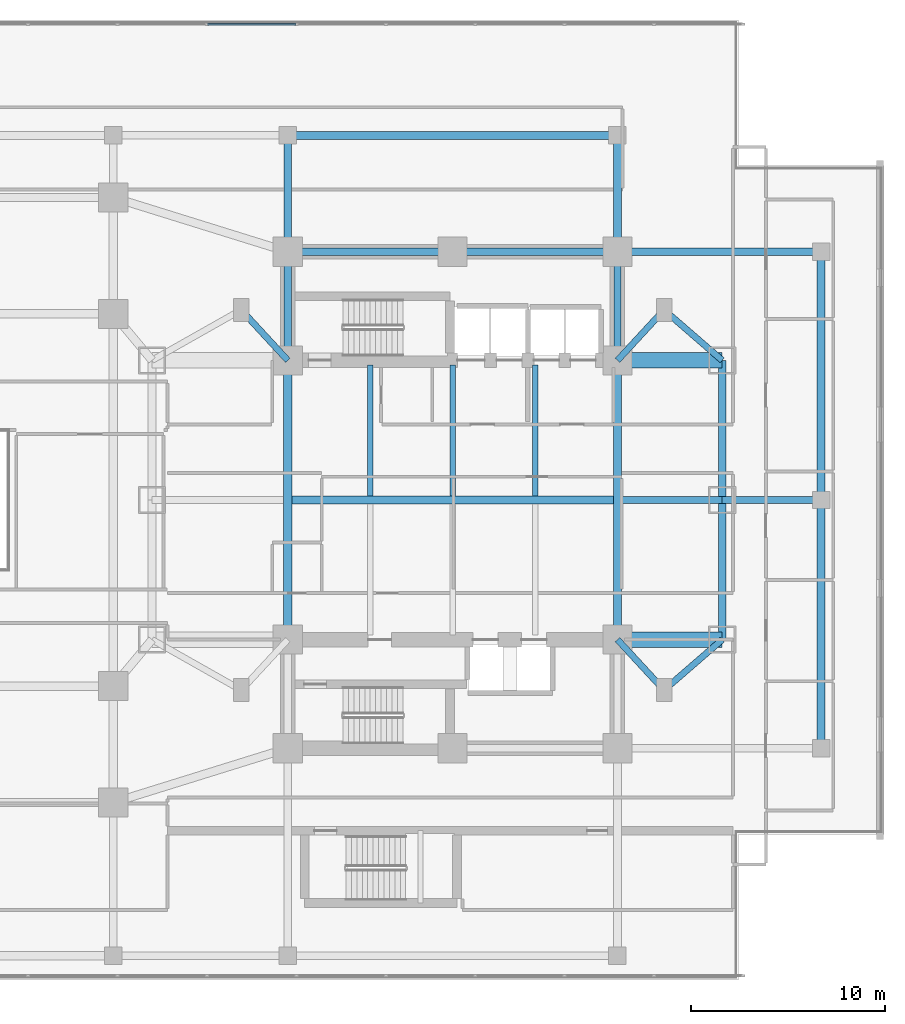
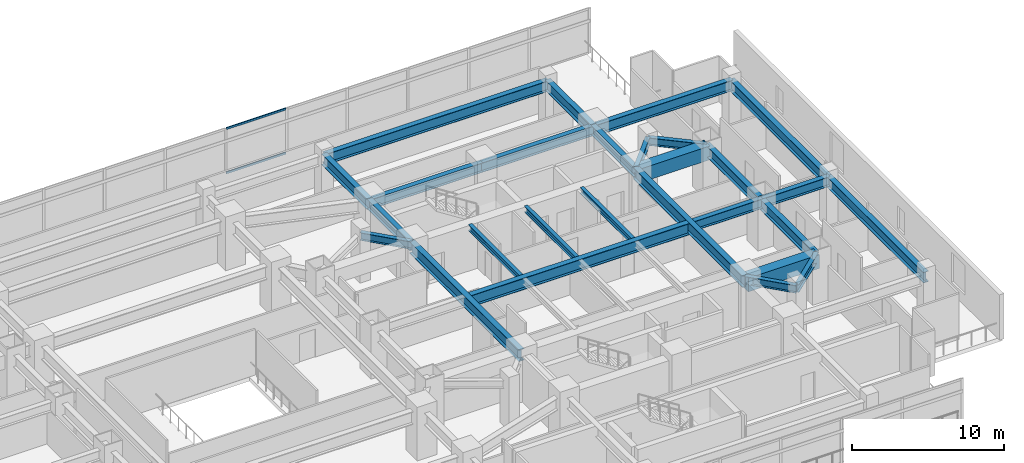
# One storey, part 9 of 26: 27 beams, 2 members, 1 element without a shape of its own.
"""IFC4 building model written with IfcOpenShell, lengths in metres."""

from ifc_helpers import new_model, si_unit, direction, frame, origin, origin_2d, place, context, subcontext, project, spatial, rectangle, i_section, extrude, material, material_profile, profile_set, type_object, element, aggregate, save


model = new_model("IFC4")

# Units and contexts
model_context = context("Model", 3, precision=1e-05, world=origin(), true_north=direction((0.0, 1.0)))
body_context = subcontext(model_context, "Body", "Model", "MODEL_VIEW")
ifc_project = project(units=[si_unit("LENGTHUNIT", "METRE"), si_unit("AREAUNIT", "SQUARE_METRE"), si_unit("VOLUMEUNIT", "CUBIC_METRE"), si_unit("PLANEANGLEUNIT", "RADIAN"), si_unit("MASSUNIT", "GRAM", prefix="KILO")], contexts=[model_context])

# Site, building, storey
site_placement = place(None, origin())
site = spatial("IfcSite", under=ifc_project, at=site_placement, CompositionType="ELEMENT")
building_placement = place(site_placement, origin())
building = spatial("IfcBuilding", under=site, at=building_placement, Name="Mirazonda Arch Towers", CompositionType="ELEMENT")
storey_placement = place(building_placement, frame((0.0, 0.0, 13.800048828125)))
storey = spatial("IfcBuildingStorey", under=building, at=storey_placement, Name="L03", CompositionType="ELEMENT", Elevation=13.800048828125)

# Beams
ifc_material_1 = material(Name="Steel ASTM A992 Grade 50", Category="steel")
ifc_material_profile_1 = material_profile(ifc_material_1, i_section(OverallWidth=0.39990234375, OverallDepth=0.85595703125, WebThickness=0.018310546875, FlangeThickness=0.029296875, at=origin_2d()), Name="W33X201")
ifc_profile_set_1 = profile_set([ifc_material_profile_1], Name="Steel ASTM A992 Grade 50")
beam_type_1 = type_object("IfcBeamType", Name="BM-EXT-W33X201", PredefinedType="USERDEFINED", material=ifc_profile_set_1)
for number, where, z_axis, x_axis, name in (
    (1, (90.39990234375, 20.800048828125, 3.221923828125), (0.0, 1.0, 0.0), (-1.0, 0.0, 0.0), "L03 Floor Beam BM-T2-L03-NS-E-20"),
    (2, (90.39990234375, 28.0, 3.221923828125), (0.0, 1.0, 0.0), (-1.0, 0.0, 0.0), "L03 Floor Beam BM-T2-L03-NS-E-28"),
):
    element("IfcBeam", number, at=place(storey_placement, frame(where, z_axis=z_axis, x_axis=x_axis)), inside=storey, type_object=beam_type_1, Name=name, ObjectType="GIRDER", PredefinedType="USERDEFINED", context=body_context, shape_type="SweptSolid", body=[
        extrude(i_section(OverallWidth=0.39990234375, OverallDepth=0.85595703125, WebThickness=0.018310546875, FlangeThickness=0.029296875, at=origin_2d()), origin(), (0.0, 0.0, 1.0), 7.199951171875),
    ])
beam_1_placement = place(storey_placement, frame((68.0, 46.800048828125, 3.221923828125), z_axis=(1.0, 0.0, 0.0), x_axis=(0.0, 1.0, 0.0)))
element("IfcBeam", 3, at=beam_1_placement, inside=storey, type_object=beam_type_1, Name="L03 Floor Beam BM-POD-L03-PN-5", ObjectType="GIRDER", PredefinedType="USERDEFINED", context=body_context, shape_type="SweptSolid", body=[
    extrude(i_section(OverallWidth=0.39990234375, OverallDepth=0.85595703125, WebThickness=0.018310546875, FlangeThickness=0.029296875, at=origin_2d()), origin(), (0.0, 0.0, 1.0), 17.0),
])
for number, where, z_axis, x_axis, name in (
    (4, (95.5, 15.199951171875, 3.221923828125), (0.0, 1.0, 0.0), (-1.0, 0.0, 0.0), "L03 Floor Beam BM-POD-L03-PE-1"),
    (5, (95.5, 28.0, 3.221923828125), (0.0, 1.0, 0.0), (-1.0, 0.0, 0.0), "L03 Floor Beam BM-POD-L03-PE-2"),
):
    element("IfcBeam", number, at=place(storey_placement, frame(where, z_axis=z_axis, x_axis=x_axis)), inside=storey, type_object=beam_type_1, Name=name, ObjectType="GIRDER", PredefinedType="USERDEFINED", context=body_context, shape_type="SweptSolid", body=[
        extrude(i_section(OverallWidth=0.39990234375, OverallDepth=0.85595703125, WebThickness=0.018310546875, FlangeThickness=0.029296875, at=origin_2d()), origin(), (0.0, 0.0, 1.0), 12.800048828125),
    ])
ifc_material_profile_2 = material_profile(ifc_material_1, i_section(OverallWidth=0.280029296875, OverallDepth=0.462890625, WebThickness=0.0107421875, FlangeThickness=0.017333984375, at=origin_2d()), Name="W18X76")
ifc_profile_set_2 = profile_set([ifc_material_profile_2], Name="Steel ASTM A992 Grade 50")
beam_type_2 = type_object("IfcBeamType", Name="BM-INT-W18X76", PredefinedType="JOIST", material=ifc_profile_set_2)
for number, where, z_axis, x_axis, name in (
    (6, (72.25, 28.205078125, 3.41845703125), (0.0, 1.0, 0.0), (-1.0, 0.0, 0.0), "L03 Floor Beam BM-T2-L03-J-722-28"),
    (7, (76.5, 28.205078125, 3.41845703125), (0.0, 1.0, 0.0), (-1.0, 0.0, 0.0), "L03 Floor Beam BM-T2-L03-J-765-28"),
    (8, (80.75, 28.205078125, 3.41845703125), (0.0, 1.0, 0.0), (-1.0, 0.0, 0.0), "L03 Floor Beam BM-T2-L03-J-807-28"),
):
    element("IfcBeam", number, at=place(storey_placement, frame(where, z_axis=z_axis, x_axis=x_axis)), inside=storey, type_object=beam_type_2, Name=name, PredefinedType="JOIST", context=body_context, shape_type="SweptSolid", body=[
        extrude(i_section(OverallWidth=0.280029296875, OverallDepth=0.462890625, WebThickness=0.0107421875, FlangeThickness=0.017333984375, at=origin_2d()), origin(), (0.0, 0.0, 1.0), 6.7548828125),
    ])
ifc_material_profile_3 = material_profile(ifc_material_1, i_section(OverallWidth=0.324951171875, OverallDepth=0.615966796875, WebThickness=0.013916015625, FlangeThickness=0.021484375, at=origin_2d()), Name="W24X117")
ifc_profile_set_3 = profile_set([ifc_material_profile_3], Name="Steel ASTM A992 Grade 50")
beam_type_3 = type_object("IfcBeamType", Name="BM-INT-W24X117", PredefinedType="BEAM", material=ifc_profile_set_3)
beam_2_placement = place(storey_placement, frame((87.39990234375, 18.199951171875, 3.342041015625), z_axis=(-0.678251444854, 0.734829897019, 0.0), x_axis=(-0.734829897019, -0.678251444854, 0.0)))
element("IfcBeam", 9, at=beam_2_placement, inside=storey, type_object=beam_type_3, Name="L03 Floor Beam BM-T2-L03-PL-SE1", PredefinedType="BEAM", context=body_context, shape_type="SweptSolid", body=[
    extrude(i_section(OverallWidth=0.324951171875, OverallDepth=0.615966796875, WebThickness=0.013916015625, FlangeThickness=0.021484375, at=origin_2d()), origin(), (0.0, 0.0, 1.0), 3.538330078125),
])
beam_3_placement = place(storey_placement, frame((87.39990234375, 18.199951171875, 3.342041015625), z_axis=(0.755676908098, 0.654944585876, 0.0), x_axis=(-0.654944585876, 0.755676908098, 0.0)))
element("IfcBeam", 10, at=beam_3_placement, inside=storey, type_object=beam_type_3, Name="L03 Floor Beam BM-T2-L03-PL-SE2", PredefinedType="BEAM", context=body_context, shape_type="SweptSolid", body=[
    extrude(i_section(OverallWidth=0.324951171875, OverallDepth=0.615966796875, WebThickness=0.013916015625, FlangeThickness=0.021484375, at=origin_2d()), origin(), (0.0, 0.0, 1.0), 3.969970703125),
])
for number, where, z_axis, x_axis, name in (
    (11, (65.60009765625, 37.800048828125, 3.342041015625), (0.678251444854, -0.734829897019, 0.0), (0.734829897019, 0.678251444854, 0.0), "L03 Floor Beam BM-T2-L03-PL-NW1"),
    (12, (87.39990234375, 37.800048828125, 3.342041015625), (-0.678251444854, -0.734829897019, 0.0), (0.734829897019, -0.678251444854, 0.0), "L03 Floor Beam BM-T2-L03-PL-NE1"),
):
    element("IfcBeam", number, at=place(storey_placement, frame(where, z_axis=z_axis, x_axis=x_axis)), inside=storey, type_object=beam_type_3, Name=name, PredefinedType="BEAM", context=body_context, shape_type="SweptSolid", body=[
        extrude(i_section(OverallWidth=0.324951171875, OverallDepth=0.615966796875, WebThickness=0.013916015625, FlangeThickness=0.021484375, at=origin_2d()), origin(), (0.0, 0.0, 1.0), 3.538330078125),
    ])
beam_4_placement = place(storey_placement, frame((87.39990234375, 37.800048828125, 3.342041015625), z_axis=(0.755676908098, -0.654944585876, 0.0), x_axis=(0.654944585876, 0.755676908098, 0.0)))
element("IfcBeam", 13, at=beam_4_placement, inside=storey, type_object=beam_type_3, Name="L03 Floor Beam BM-T2-L03-PL-NE2", PredefinedType="BEAM", context=body_context, shape_type="SweptSolid", body=[
    extrude(i_section(OverallWidth=0.324951171875, OverallDepth=0.615966796875, WebThickness=0.013916015625, FlangeThickness=0.021484375, at=origin_2d()), origin(), (0.0, 0.0, 1.0), 3.969970703125),
])
ifc_material_profile_4 = material_profile(ifc_material_1, i_section(OverallWidth=0.381103515625, OverallDepth=0.77294921875, WebThickness=0.0166015625, FlangeThickness=0.027099609375, at=origin_2d()), Name="W30X173")
ifc_profile_set_4 = profile_set([ifc_material_profile_4], Name="Steel ASTM A992 Grade 50")
beam_type_4 = type_object("IfcBeamType", Name="BM-INT-W30X173", PredefinedType="USERDEFINED", material=ifc_profile_set_4)
for number, where, z_axis, x_axis, name in (
    (14, (68.0, 40.800048828125, 3.263427734375), (1.0, 0.0, 0.0), (0.0, 1.0, 0.0), "L03 Floor Beam BM-T2-L03-CN1"),
    (15, (76.5, 40.800048828125, 3.263427734375), (1.0, 0.0, 0.0), (0.0, 1.0, 0.0), "L03 Floor Beam BM-T2-L03-CN2"),
):
    element("IfcBeam", number, at=place(storey_placement, frame(where, z_axis=z_axis, x_axis=x_axis)), inside=storey, type_object=beam_type_4, Name=name, ObjectType="GIRDER", PredefinedType="USERDEFINED", context=body_context, shape_type="SweptSolid", body=[
        extrude(i_section(OverallWidth=0.381103515625, OverallDepth=0.77294921875, WebThickness=0.0166015625, FlangeThickness=0.027099609375, at=origin_2d()), origin(), (0.0, 0.0, 1.0), 8.5),
    ])
for number, where, z_axis, x_axis, name in (
    (16, (68.0, 35.199951171875, 3.263427734375), (0.0, 1.0, 0.0), (-1.0, 0.0, 0.0), "L03 Floor Beam BM-T2-L03-CNW"),
    (17, (85.0, 35.199951171875, 3.263427734375), (0.0, 1.0, 0.0), (-1.0, 0.0, 0.0), "L03 Floor Beam BM-T2-L03-CNE"),
):
    element("IfcBeam", number, at=place(storey_placement, frame(where, z_axis=z_axis, x_axis=x_axis)), inside=storey, type_object=beam_type_4, Name=name, ObjectType="GIRDER", PredefinedType="USERDEFINED", context=body_context, shape_type="SweptSolid", body=[
        extrude(i_section(OverallWidth=0.381103515625, OverallDepth=0.77294921875, WebThickness=0.0166015625, FlangeThickness=0.027099609375, at=origin_2d()), origin(), (0.0, 0.0, 1.0), 5.60009765625),
    ])
beam_5_placement = place(storey_placement, frame((85.208984375, 28.0, 3.263427734375), z_axis=(1.0, 0.0, 0.0), x_axis=(0.0, 1.0, 0.0)))
element("IfcBeam", 18, at=beam_5_placement, inside=storey, type_object=beam_type_4, Name="L03 Floor Beam BM-T2-L03-GE2", ObjectType="GIRDER", PredefinedType="USERDEFINED", context=body_context, shape_type="SweptSolid", body=[
    extrude(i_section(OverallWidth=0.381103515625, OverallDepth=0.77294921875, WebThickness=0.0166015625, FlangeThickness=0.027099609375, at=origin_2d()), origin(), (0.0, 0.0, 1.0), 5.19091796875),
])
beam_6_placement = place(storey_placement, frame((90.39990234375, 28.0, 3.263427734375), z_axis=(1.0, 0.0, 0.0), x_axis=(0.0, 1.0, 0.0)))
element("IfcBeam", 19, at=beam_6_placement, inside=storey, type_object=beam_type_4, Name="L03 Floor Beam BM-POD-L03-PCE-2", ObjectType="GIRDER", PredefinedType="USERDEFINED", context=body_context, shape_type="SweptSolid", body=[
    extrude(i_section(OverallWidth=0.381103515625, OverallDepth=0.77294921875, WebThickness=0.0166015625, FlangeThickness=0.027099609375, at=origin_2d()), origin(), (0.0, 0.0, 1.0), 5.10009765625),
])
ifc_material_profile_5 = material_profile(ifc_material_1, i_section(OverallWidth=0.39990234375, OverallDepth=0.85595703125, WebThickness=0.018310546875, FlangeThickness=0.029296875, at=origin_2d()), Name="W33X201")
ifc_profile_set_5 = profile_set([ifc_material_profile_5], Name="Steel ASTM A992 Grade 50")
beam_type_5 = type_object("IfcBeamType", Name="BM-INT-W33X201", PredefinedType="USERDEFINED", material=ifc_profile_set_5)
for number, where, z_axis, x_axis, name in (
    (20, (68.0, 40.800048828125, 3.221923828125), (0.0, 1.0, 0.0), (-1.0, 0.0, 0.0), "L03 Floor Beam BM-POD-L03-PCN-6"),
    (21, (85.0, 40.800048828125, 3.221923828125), (0.0, 1.0, 0.0), (-1.0, 0.0, 0.0), "L03 Floor Beam BM-POD-L03-PCN-7"),
):
    element("IfcBeam", number, at=place(storey_placement, frame(where, z_axis=z_axis, x_axis=x_axis)), inside=storey, type_object=beam_type_5, Name=name, ObjectType="GIRDER", PredefinedType="USERDEFINED", context=body_context, shape_type="SweptSolid", body=[
        extrude(i_section(OverallWidth=0.39990234375, OverallDepth=0.85595703125, WebThickness=0.018310546875, FlangeThickness=0.029296875, at=origin_2d()), origin(), (0.0, 0.0, 1.0), 6.0),
    ])
beam_7_placement = place(storey_placement, frame((85.0, 40.800048828125, 3.221923828125), z_axis=(1.0, 0.0, 0.0), x_axis=(0.0, 1.0, 0.0)))
element("IfcBeam", 22, at=beam_7_placement, inside=storey, type_object=beam_type_5, Name="L03 Floor Beam BM-POD-L03-PCE-3", ObjectType="GIRDER", PredefinedType="USERDEFINED", context=body_context, shape_type="SweptSolid", body=[
    extrude(i_section(OverallWidth=0.39990234375, OverallDepth=0.85595703125, WebThickness=0.018310546875, FlangeThickness=0.029296875, at=origin_2d()), origin(), (0.0, 0.0, 1.0), 10.5),
])
ifc_material_profile_6 = material_profile(ifc_material_1, i_section(OverallWidth=0.41796875, OverallDepth=0.927001953125, WebThickness=0.019287109375, FlangeThickness=0.031982421875, at=origin_2d()), Name="W36X231")
ifc_profile_set_6 = profile_set([ifc_material_profile_6], Name="Steel ASTM A992 Grade 50")
beam_type_6 = type_object("IfcBeamType", Name="BM-INT-W36X231", PredefinedType="USERDEFINED", material=ifc_profile_set_6)
beam_8_placement = place(storey_placement, frame((68.208984375, 28.0, 3.1865234375), z_axis=(1.0, 0.0, 0.0), x_axis=(0.0, 1.0, 0.0)))
element("IfcBeam", 23, at=beam_8_placement, inside=storey, type_object=beam_type_6, Name="L03 Floor Beam BM-T2-L03-GC2", ObjectType="GIRDER", PredefinedType="USERDEFINED", context=body_context, shape_type="SweptSolid", body=[
    extrude(i_section(OverallWidth=0.41796875, OverallDepth=0.927001953125, WebThickness=0.019287109375, FlangeThickness=0.031982421875, at=origin_2d()), origin(), (0.0, 0.0, 1.0), 16.58203125),
])
for number, where, z_axis, x_axis, name in (
    (24, (68.0, 20.800048828125, 3.1865234375), (0.0, 1.0, 0.0), (-1.0, 0.0, 0.0), "L03 Floor Beam BM-T2-L03-NS-CW-FULL"),
    (25, (85.0, 20.800048828125, 3.1865234375), (0.0, 1.0, 0.0), (-1.0, 0.0, 0.0), "L03 Floor Beam BM-T2-L03-NS-CE-FULL"),
):
    element("IfcBeam", number, at=place(storey_placement, frame(where, z_axis=z_axis, x_axis=x_axis)), inside=storey, type_object=beam_type_6, Name=name, ObjectType="GIRDER", PredefinedType="USERDEFINED", context=body_context, shape_type="SweptSolid", body=[
        extrude(i_section(OverallWidth=0.41796875, OverallDepth=0.927001953125, WebThickness=0.019287109375, FlangeThickness=0.031982421875, at=origin_2d()), origin(), (0.0, 0.0, 1.0), 14.39990234375),
    ])
ifc_material_2 = material(Name="Concrete C60/75", Category="concrete")
ifc_material_profile_7 = material_profile(ifc_material_2, rectangle(XDim=0.800048828125, YDim=1.10009765625, at=origin_2d()), Name="RCCB800x1100")
ifc_profile_set_7 = profile_set([ifc_material_profile_7], Name="Concrete C60/75")
beam_type_7 = type_object("IfcBeamType", Name="CB-INT-RCCB800x1100", PredefinedType="SPANDREL", material=ifc_profile_set_7)
for number, where, z_axis, x_axis, name in (
    (26, (85.0, 35.199951171875, 3.099853515625), (1.0, 0.0, 0.0), (0.0, 1.0, 0.0), "L03 Floor Beam CB-T2-L03-NE"),
    (27, (85.0, 20.800048828125, 3.099853515625), (1.0, 0.0, 0.0), (0.0, 1.0, 0.0), "L03 Floor Beam CB-T2-L03-SE"),
):
    element("IfcBeam", number, at=place(storey_placement, frame(where, z_axis=z_axis, x_axis=x_axis)), inside=storey, type_object=beam_type_7, Name=name, PredefinedType="SPANDREL", context=body_context, shape_type="SweptSolid", body=[
        extrude(rectangle(XDim=0.800048828125, YDim=1.10009765625, at=origin_2d()), origin(), (0.0, 0.0, 1.0), 5.39990234375),
    ])

# Curtain wall, members
ifc_material_3 = material(Name="Anodised Aluminium and Low-E Glass", Category="aluminium")
curtain_wall_type = type_object("IfcCurtainWallType", Name="CW-POD-STORE", PredefinedType="NOTDEFINED", material=ifc_material_3)
curtain_wall_placement = place(storey_placement, origin())
curtain_wall = element("IfcCurtainWall", 28, at=curtain_wall_placement, inside=storey, type_object=curtain_wall_type, Name="L03 Curtain Wall CW-L03-N1", PredefinedType="NOTDEFINED")
ifc_material_4 = material(Name="Anodised Aluminium Alloy", Category="aluminium")
ifc_material_profile_8 = material_profile(ifc_material_4, rectangle(XDim=0.080078125, YDim=0.159912109375, at=origin_2d()), Name="ALU-TRAN-80x160")
ifc_profile_set_8 = profile_set([ifc_material_profile_8], Name="Anodised Aluminium Alloy")
member_type = type_object("IfcMemberType", Name="TRAN-CW-POD-STORE", PredefinedType="USERDEFINED", material=ifc_profile_set_8)
member_1_placement = place(storey_placement, frame((63.873291015625, 52.530029296875, 0.0400390625), z_axis=(1.0, 0.0, 0.0), x_axis=(0.0, 1.0, 0.0)))
member_1 = element("IfcMember", 29, at=member_1_placement, type_object=member_type, Name="CW-102 transom 13.1", ObjectType="TRANSOM", PredefinedType="USERDEFINED", context=body_context, shape_type="SweptSolid", body=[
    extrude(rectangle(XDim=0.080078125, YDim=0.159912109375, at=origin_2d()), origin(), (0.0, 0.0, 1.0), 4.53125),
])
member_2_placement = place(storey_placement, frame((63.873291015625, 52.530029296875, 3.58984375), z_axis=(1.0, 0.0, 0.0), x_axis=(0.0, 1.0, 0.0)))
member_2 = element("IfcMember", 30, at=member_2_placement, type_object=member_type, Name="CW-102 transom 13.2", ObjectType="TRANSOM", PredefinedType="USERDEFINED", context=body_context, shape_type="SweptSolid", body=[
    extrude(rectangle(XDim=0.080078125, YDim=0.159912109375, at=origin_2d()), origin(), (0.0, 0.0, 1.0), 4.53125),
])
aggregate(curtain_wall, [member_1, member_2])

save(model, "model.ifc")
